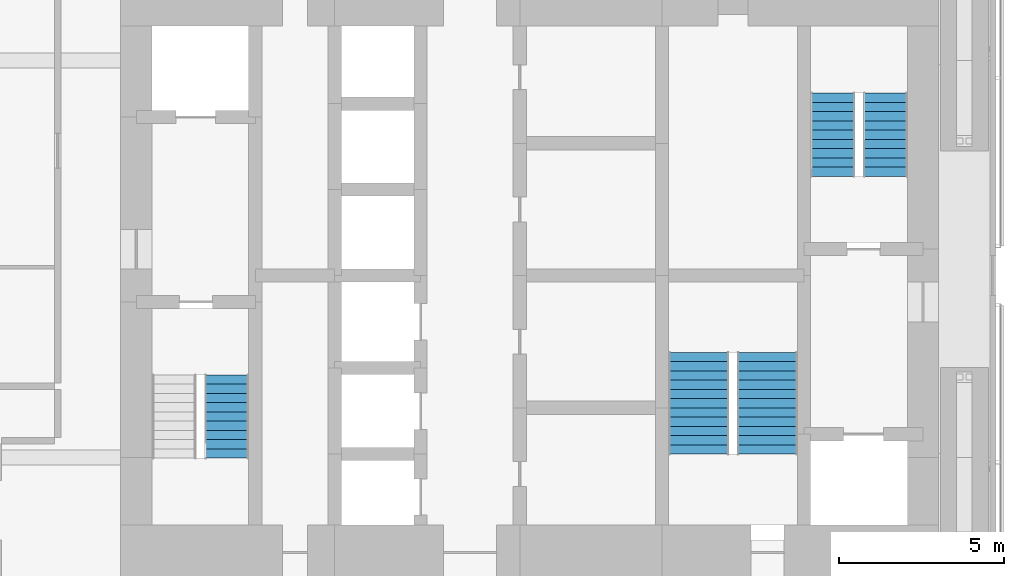
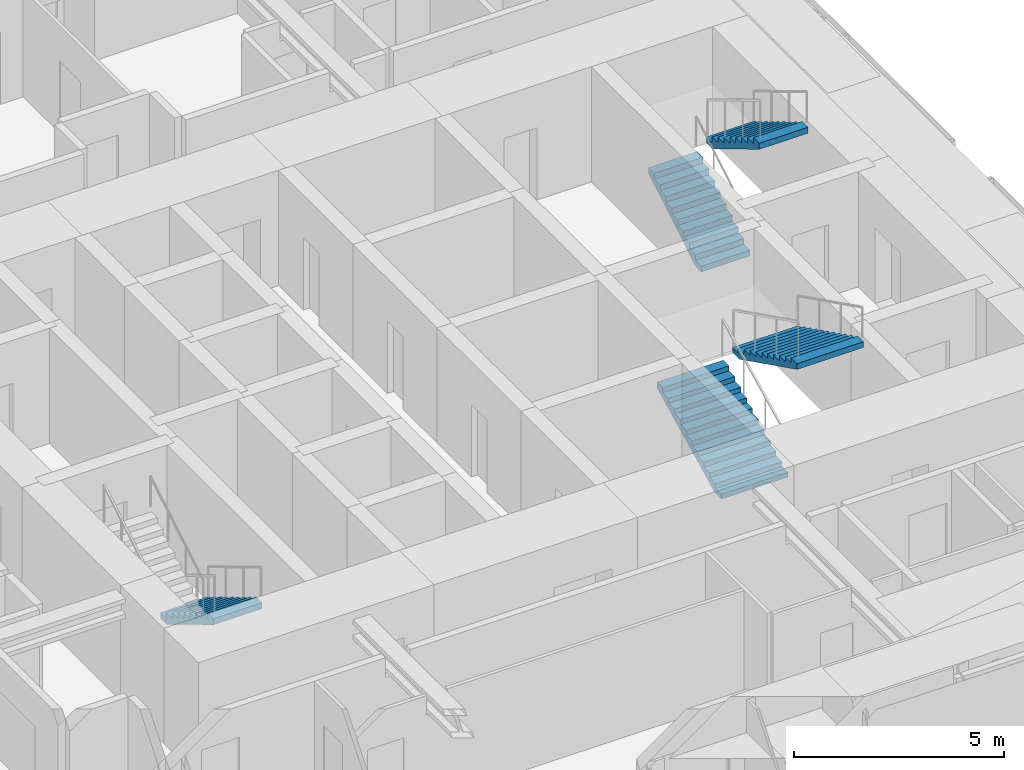
# One storey, part 23 of 24: 5 stair flights, 3 elements without a shape of their own.
"""IFC4 building model written with IfcOpenShell, lengths in metres."""

from ifc_helpers import new_model, si_unit, direction, frame, origin, place, context, subcontext, project, spatial, polyline, outline, extrude, material, type_object, element, aggregate, save


model = new_model("IFC4")

# Units and contexts
model_context = context("Model", 3, precision=1e-05, world=origin(), true_north=direction((0.0, 1.0)))
body_context = subcontext(model_context, "Body", "Model", "MODEL_VIEW")
ifc_project = project(units=[si_unit("LENGTHUNIT", "METRE"), si_unit("AREAUNIT", "SQUARE_METRE"), si_unit("VOLUMEUNIT", "CUBIC_METRE"), si_unit("PLANEANGLEUNIT", "RADIAN"), si_unit("MASSUNIT", "GRAM", prefix="KILO")], contexts=[model_context])

# Site, building, storey
site_placement = place(None, origin())
site = spatial("IfcSite", under=ifc_project, at=site_placement, CompositionType="ELEMENT")
building_placement = place(site_placement, origin())
building = spatial("IfcBuilding", under=site, at=building_placement, Name="Jalousie Tower", CompositionType="ELEMENT")
storey_placement = place(building_placement, frame((0.0, 0.0, 44.449951171875)))
storey = spatial("IfcBuildingStorey", under=building, at=storey_placement, Name="L11", CompositionType="ELEMENT", Elevation=44.449951171875)

# Stair, stair flight
ifc_material_1 = material(Name="Concrete f'c 40 MPa", Category="concrete")
stair_type = type_object("IfcStairType", Name="EXIT STAIR", PredefinedType="HALF_TURN_STAIR", material=ifc_material_1)
stair_1_placement = place(storey_placement, origin())
stair_1 = element("IfcStair", 1, at=stair_1_placement, inside=storey, type_object=stair_type, Name="Exit stair A L11", PredefinedType="HALF_TURN_STAIR")
ifc_material_2 = material(Name="Concrete f'c 40 MPa", Category="concrete")
stair_flight_type = type_object("IfcStairFlightType", Name="STAIR FLIGHT", PredefinedType="STRAIGHT", material=ifc_material_2)
stair_flight_1_placement = place(storey_placement, frame((22.731201171875, 15.49755859375, 0.0), z_axis=(0.0, 0.0, 1.0), x_axis=(0.0, -1.0, 0.0)))
stair_flight_1 = element("IfcStairFlight", 2, at=stair_flight_1_placement, type_object=stair_flight_type, Name="ST-A flight 1", NumberOfRisers=10, NumberOfTreads=9, PredefinedType="STRAIGHT", RiserHeight=0.1675, TreadLength=0.28, context=body_context, shape_type="SweptSolid", body=[
    extrude(outline(polyline([(0.0, 0.0), (0.0, 0.16748046875), (0.280029296875, 0.16748046875), (0.280029296875, 0.3349609375), (0.56005859375, 0.3349609375), (0.56005859375, 0.50244140625), (0.840087890625, 0.50244140625), (0.840087890625, 0.669921875), (1.1201171875, 0.669921875), (1.1201171875, 0.83740234375), (1.39990234375, 0.83740234375), (1.39990234375, 1.0048828125), (1.679931640625, 1.0048828125), (1.679931640625, 1.172607421875), (1.9599609375, 1.172607421875), (1.9599609375, 1.340087890625), (2.239990234375, 1.340087890625), (2.239990234375, 1.507568359375), (2.52001953125, 1.507568359375), (2.52001953125, 1.675048828125), (2.52001953125, 1.332763671875), (0.2919921875, 0.0), (0.0, 0.0)])), frame((0.0, 0.668701171875, 0.0), z_axis=(0.0, -1.0, 0.0), x_axis=(1.0, 0.0, 0.0)), (0.0, 0.0, 1.0), 1.33740234375),
])
aggregate(stair_1, [stair_flight_1])

# Stair, stair flights
stair_2_placement = place(storey_placement, origin())
stair_2 = element("IfcStair", 3, at=stair_2_placement, inside=storey, type_object=stair_type, Name="Exit stair B L11", PredefinedType="HALF_TURN_STAIR")
stair_flight_2_placement = place(storey_placement, frame((41.06884765625, 21.50244140625, 0.0), z_axis=(0.0, 0.0, 1.0), x_axis=(0.0, 1.0, 0.0)))
stair_flight_2 = element("IfcStairFlight", 4, at=stair_flight_2_placement, type_object=stair_flight_type, Name="ST-B flight 1", NumberOfRisers=10, NumberOfTreads=9, PredefinedType="STRAIGHT", RiserHeight=0.1675, TreadLength=0.28, context=body_context, shape_type="SweptSolid", body=[
    extrude(outline(polyline([(0.0, 0.0), (0.0, 0.16748046875), (0.280029296875, 0.16748046875), (0.280029296875, 0.3349609375), (0.56005859375, 0.3349609375), (0.56005859375, 0.50244140625), (0.840087890625, 0.50244140625), (0.840087890625, 0.669921875), (1.1201171875, 0.669921875), (1.1201171875, 0.83740234375), (1.39990234375, 0.83740234375), (1.39990234375, 1.0048828125), (1.679931640625, 1.0048828125), (1.679931640625, 1.172607421875), (1.9599609375, 1.172607421875), (1.9599609375, 1.340087890625), (2.239990234375, 1.340087890625), (2.239990234375, 1.507568359375), (2.52001953125, 1.507568359375), (2.52001953125, 1.675048828125), (2.52001953125, 1.332763671875), (0.2919921875, 0.0), (0.0, 0.0)])), frame((0.0, 0.668701171875, 0.0), z_axis=(0.0, -1.0, 0.0), x_axis=(1.0, 0.0, 0.0)), (0.0, 0.0, 1.0), 1.33740234375),
])
stair_flight_3_placement = place(storey_placement, frame((42.65625, 24.0224609375, 1.675048828125), z_axis=(0.0, 0.0, 1.0), x_axis=(0.0, -1.0, 0.0)))
stair_flight_3 = element("IfcStairFlight", 5, at=stair_flight_3_placement, type_object=stair_flight_type, Name="ST-B flight 2", NumberOfRisers=10, NumberOfTreads=9, PredefinedType="STRAIGHT", RiserHeight=0.1675, TreadLength=0.28, context=body_context, shape_type="SweptSolid", body=[
    extrude(outline(polyline([(0.0, 0.0), (0.0, 0.16748046875), (0.280029296875, 0.16748046875), (0.280029296875, 0.3349609375), (0.56005859375, 0.3349609375), (0.56005859375, 0.50244140625), (0.840087890625, 0.50244140625), (0.840087890625, 0.669921875), (1.1201171875, 0.669921875), (1.1201171875, 0.83740234375), (1.39990234375, 0.83740234375), (1.39990234375, 1.0048828125), (1.679931640625, 1.0048828125), (1.679931640625, 1.172607421875), (1.9599609375, 1.172607421875), (1.9599609375, 1.340087890625), (2.239990234375, 1.340087890625), (2.239990234375, 1.507568359375), (2.52001953125, 1.507568359375), (2.52001953125, 1.675048828125), (2.52001953125, 1.332763671875), (0.2919921875, 0.0), (0.0, 0.0)])), frame((0.0, 0.668701171875, 0.0), z_axis=(0.0, -1.0, 0.0), x_axis=(1.0, 0.0, 0.0)), (0.0, 0.0, 1.0), 1.33740234375),
])
aggregate(stair_2, [stair_flight_2, stair_flight_3])

stair_3_placement = place(storey_placement, origin())
stair_3 = element("IfcStair", 6, at=stair_3_placement, inside=storey, type_object=stair_type, Name="Exit stair C L11", PredefinedType="HALF_TURN_STAIR")
stair_flight_4_placement = place(storey_placement, frame((37.012451171875, 13.097412109375, 0.0), z_axis=(0.0, 0.0, 1.0), x_axis=(0.0, 1.0, 0.0)))
stair_flight_4 = element("IfcStairFlight", 7, at=stair_flight_4_placement, type_object=stair_flight_type, Name="ST-C flight 1", NumberOfRisers=12, NumberOfTreads=11, PredefinedType="STRAIGHT", RiserHeight=0.139583333, TreadLength=0.28, context=body_context, shape_type="SweptSolid", body=[
    extrude(outline(polyline([(0.0, 0.0), (0.0, 0.1396484375), (0.280029296875, 0.1396484375), (0.280029296875, 0.279052734375), (0.56005859375, 0.279052734375), (0.56005859375, 0.418701171875), (0.840087890625, 0.418701171875), (0.840087890625, 0.558349609375), (1.1201171875, 0.558349609375), (1.1201171875, 0.697998046875), (1.39990234375, 0.697998046875), (1.39990234375, 0.83740234375), (1.679931640625, 0.83740234375), (1.679931640625, 0.97705078125), (1.9599609375, 0.97705078125), (1.9599609375, 1.11669921875), (2.239990234375, 1.11669921875), (2.239990234375, 1.25634765625), (2.52001953125, 1.25634765625), (2.52001953125, 1.395751953125), (2.800048828125, 1.395751953125), (2.800048828125, 1.535400390625), (3.080078125, 1.535400390625), (3.080078125, 1.675048828125), (3.080078125, 1.367919921875), (0.3359375, 0.0), (0.0, 0.0)])), frame((0.0, 0.91259765625, 0.0), z_axis=(0.0, -1.0, 0.0), x_axis=(1.0, 0.0, 0.0)), (0.0, 0.0, 1.0), 1.824951171875),
])
stair_flight_5_placement = place(storey_placement, frame((39.08740234375, 16.177490234375, 1.675048828125), z_axis=(0.0, 0.0, 1.0), x_axis=(0.0, -1.0, 0.0)))
stair_flight_5 = element("IfcStairFlight", 8, at=stair_flight_5_placement, type_object=stair_flight_type, Name="ST-C flight 2", NumberOfRisers=12, NumberOfTreads=11, PredefinedType="STRAIGHT", RiserHeight=0.139583333, TreadLength=0.28, context=body_context, shape_type="SweptSolid", body=[
    extrude(outline(polyline([(0.0, 0.0), (0.0, 0.1396484375), (0.280029296875, 0.1396484375), (0.280029296875, 0.279052734375), (0.56005859375, 0.279052734375), (0.56005859375, 0.418701171875), (0.840087890625, 0.418701171875), (0.840087890625, 0.558349609375), (1.1201171875, 0.558349609375), (1.1201171875, 0.697998046875), (1.39990234375, 0.697998046875), (1.39990234375, 0.83740234375), (1.679931640625, 0.83740234375), (1.679931640625, 0.97705078125), (1.9599609375, 0.97705078125), (1.9599609375, 1.11669921875), (2.239990234375, 1.11669921875), (2.239990234375, 1.25634765625), (2.52001953125, 1.25634765625), (2.52001953125, 1.395751953125), (2.800048828125, 1.395751953125), (2.800048828125, 1.535400390625), (3.080078125, 1.535400390625), (3.080078125, 1.675048828125), (3.080078125, 1.367919921875), (0.3359375, 0.0), (0.0, 0.0)])), frame((0.0, 0.91259765625, 0.0), z_axis=(0.0, -1.0, 0.0), x_axis=(1.0, 0.0, 0.0)), (0.0, 0.0, 1.0), 1.824951171875),
])
aggregate(stair_3, [stair_flight_4, stair_flight_5])

save(model, "model.ifc")
